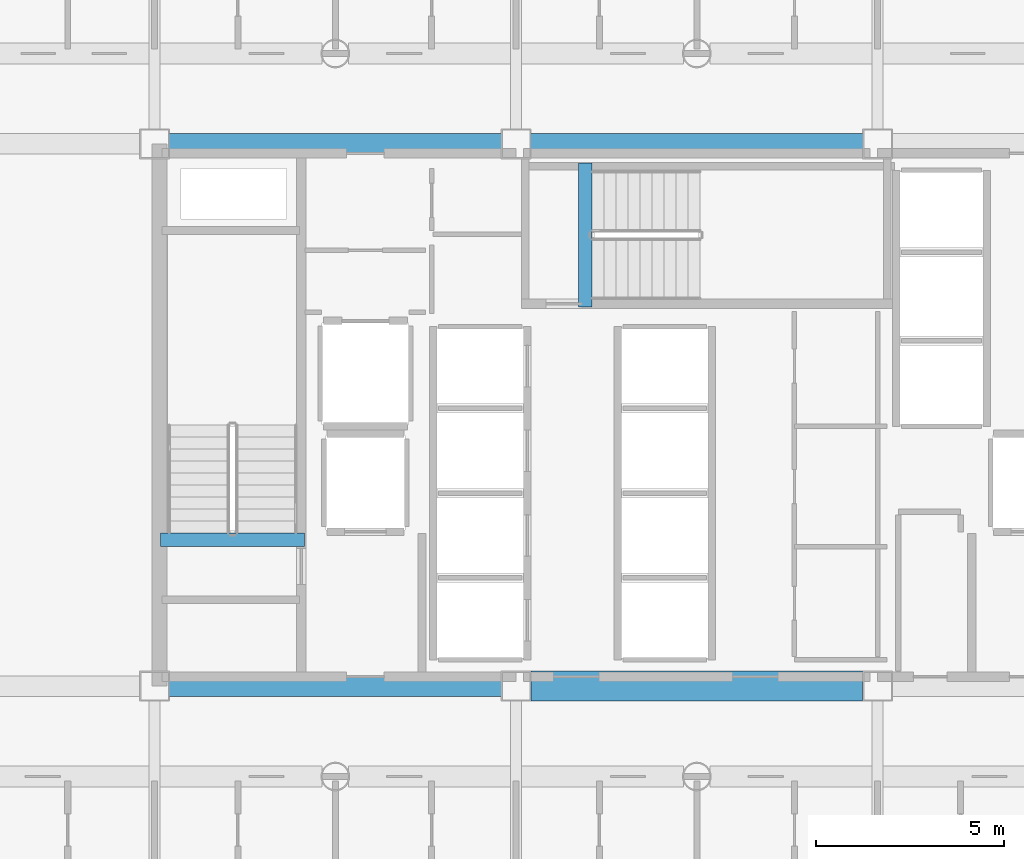
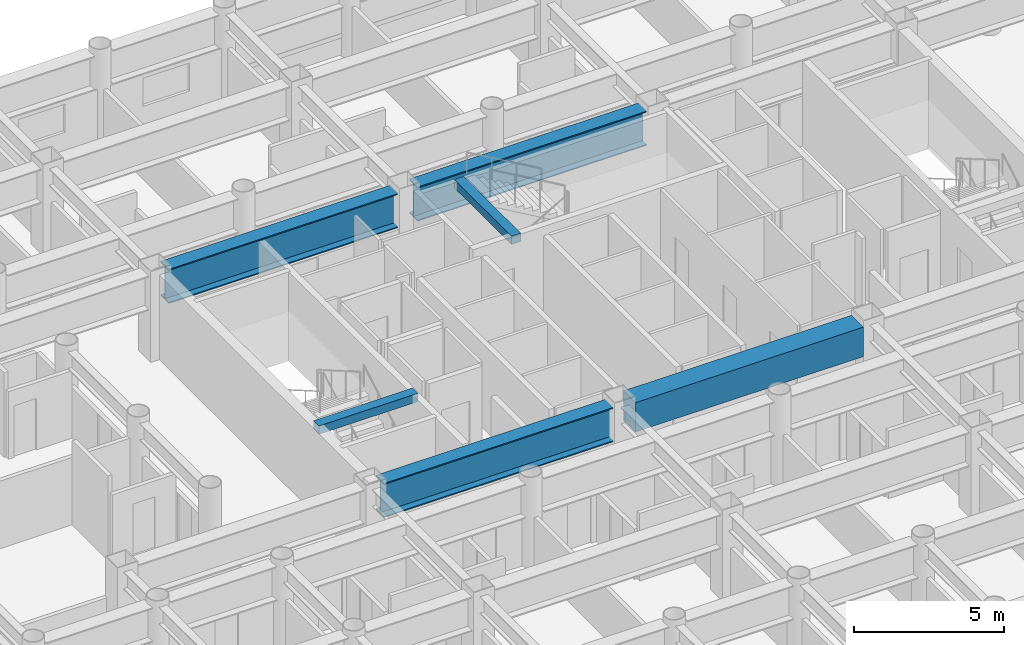
# One storey, part 5 of 21: 6 beams.
"""IFC4 building model written with IfcOpenShell, lengths in metres."""

from ifc_helpers import new_model, si_unit, direction, frame, origin, origin_2d, place, context, subcontext, project, spatial, rectangle, i_section, extrude, material, material_profile, profile_set, type_object, element, save


model = new_model("IFC4")

# Units and contexts
model_context = context("Model", 3, precision=1e-05, world=origin(), true_north=direction((0.0, 1.0)))
body_context = subcontext(model_context, "Body", "Model", "MODEL_VIEW")
ifc_project = project(units=[si_unit("LENGTHUNIT", "METRE"), si_unit("AREAUNIT", "SQUARE_METRE"), si_unit("VOLUMEUNIT", "CUBIC_METRE"), si_unit("PLANEANGLEUNIT", "RADIAN"), si_unit("MASSUNIT", "GRAM", prefix="KILO")], contexts=[model_context])

# Site, building, storey
site_placement = place(None, origin())
site = spatial("IfcSite", under=ifc_project, at=site_placement, CompositionType="ELEMENT")
building_placement = place(site_placement, origin())
building = spatial("IfcBuilding", under=site, at=building_placement, Name="Kallvorn Hotel Tower", CompositionType="ELEMENT")
storey_placement = place(building_placement, frame((0.0, 0.0, 85.5)))
storey = spatial("IfcBuildingStorey", under=building, at=storey_placement, Name="L20", CompositionType="ELEMENT", Elevation=85.5)

# Beams
ifc_material_1 = material(Name="Structural steel S355JR", Category="steel")
ifc_material_profile_1 = material_profile(ifc_material_1, i_section(OverallWidth=0.550048828125, OverallDepth=1.39990234375, WebThickness=0.02490234375, FlangeThickness=0.044921875, at=origin_2d()), Name="PG 1400x550x25x45")
ifc_profile_set_1 = profile_set([ifc_material_profile_1], Name="Structural steel S355JR")
beam_type_1 = type_object("IfcBeamType", Name="BM_PG_1400", PredefinedType="BEAM", material=ifc_profile_set_1)
for number, where, z_axis, x_axis, name in (
    (1, (-14.02490234375, -7.199951171875, 2.75), (1.0, 0.0, 0.0), (0.0, 1.0, 0.0), "L21 Primary X-Girder 34"),
    (2, (-14.02490234375, 7.199951171875, 2.75), (1.0, 0.0, 0.0), (0.0, 1.0, 0.0), "L21 Primary X-Girder 38"),
):
    element("IfcBeam", number, at=place(storey_placement, frame(where, z_axis=z_axis, x_axis=x_axis)), inside=storey, type_object=beam_type_1, Name=name, PredefinedType="BEAM", context=body_context, shape_type="SweptSolid", body=[
        extrude(i_section(OverallWidth=0.550048828125, OverallDepth=1.39990234375, WebThickness=0.02490234375, FlangeThickness=0.044921875, at=origin_2d()), origin(), (0.0, 0.0, 1.0), 8.849853515625),
    ])
beam_1_placement = place(storey_placement, frame((-4.425048828125, 7.199951171875, 2.75), z_axis=(1.0, 0.0, 0.0), x_axis=(0.0, 1.0, 0.0)))
element("IfcBeam", 3, at=beam_1_placement, inside=storey, type_object=beam_type_1, Name="L21 Primary X-Girder 39", PredefinedType="BEAM", context=body_context, shape_type="SweptSolid", body=[
    extrude(i_section(OverallWidth=0.550048828125, OverallDepth=1.39990234375, WebThickness=0.02490234375, FlangeThickness=0.044921875, at=origin_2d()), origin(), (0.0, 0.0, 1.0), 8.85009765625),
])
ifc_material_2 = material(Name="Concrete C50/60", Category="concrete")
ifc_material_profile_2 = material_profile(ifc_material_2, rectangle(XDim=0.360107421875, YDim=0.340087890625, at=origin_2d()), Name="RC 360x340")
ifc_profile_set_2 = profile_set([ifc_material_profile_2], Name="Concrete C50/60")
beam_type_2 = type_object("IfcBeamType", Name="BM_RC_400x360", PredefinedType="BEAM", material=ifc_profile_set_2)
beam_2_placement = place(storey_placement, frame((-10.419921875, -3.31005859375, 3.280029296875), z_axis=(-1.0, 0.0, 0.0), x_axis=(0.0, -1.0, 0.0)))
element("IfcBeam", 4, at=beam_2_placement, inside=storey, type_object=beam_type_2, Name="L21 Stair ST1 Arrival Trimmer Beam", PredefinedType="BEAM", context=body_context, shape_type="SweptSolid", body=[
    extrude(rectangle(XDim=0.360107421875, YDim=0.340087890625, at=origin_2d()), origin(), (0.0, 0.0, 1.0), 3.820068359375),
])
beam_3_placement = place(storey_placement, frame((-2.9599609375, 2.8701171875, 3.280029296875), z_axis=(0.0, 1.0, 0.0), x_axis=(-1.0, 0.0, 0.0)))
element("IfcBeam", 5, at=beam_3_placement, inside=storey, type_object=beam_type_2, Name="L21 Stair ST3 Arrival Trimmer Beam", PredefinedType="BEAM", context=body_context, shape_type="SweptSolid", body=[
    extrude(rectangle(XDim=0.360107421875, YDim=0.340087890625, at=origin_2d()), origin(), (0.0, 0.0, 1.0), 3.81982421875),
])
ifc_material_3 = material(Name="Concrete C50/60", Category="concrete")
ifc_material_profile_3 = material_profile(ifc_material_3, rectangle(XDim=0.800048828125, YDim=1.199951171875, at=origin_2d()), Name="RC 800x1200")
ifc_profile_set_3 = profile_set([ifc_material_profile_3], Name="Concrete C50/60")
beam_type_3 = type_object("IfcBeamType", Name="BM_RC_800x1200", PredefinedType="T_BEAM", material=ifc_profile_set_3)
beam_4_placement = place(storey_placement, frame((-4.39990234375, -7.199951171875, 2.85009765625), z_axis=(1.0, 0.0, 0.0), x_axis=(0.0, 1.0, 0.0)))
element("IfcBeam", 6, at=beam_4_placement, inside=storey, type_object=beam_type_3, Name="L20 Core Coupling Beam South", PredefinedType="T_BEAM", context=body_context, shape_type="SweptSolid", body=[
    extrude(rectangle(XDim=0.800048828125, YDim=1.199951171875, at=origin_2d()), origin(), (0.0, 0.0, 1.0), 8.7998046875),
])

save(model, "model.ifc")
